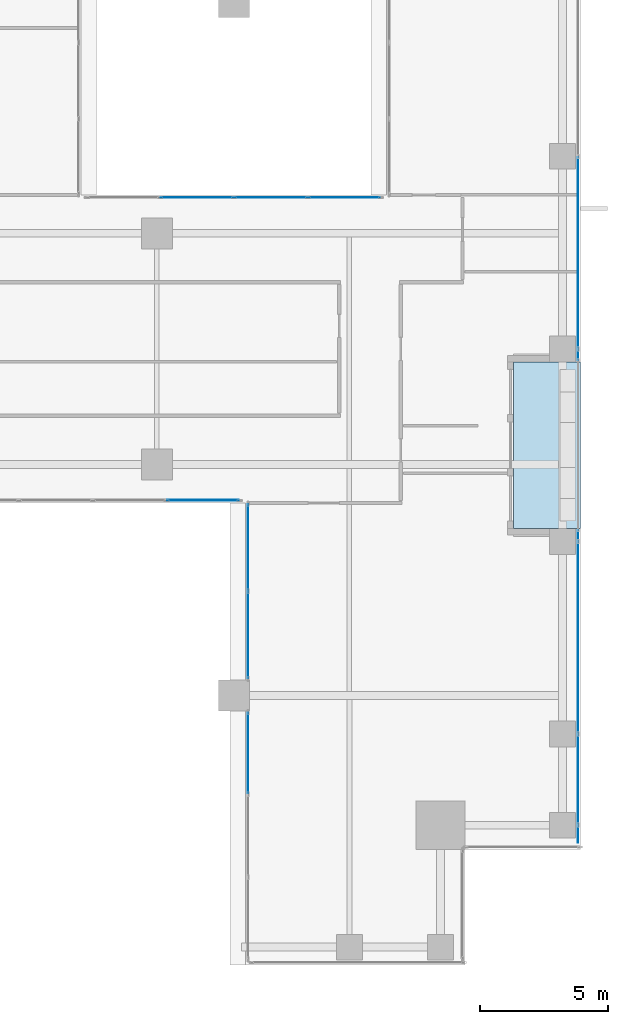
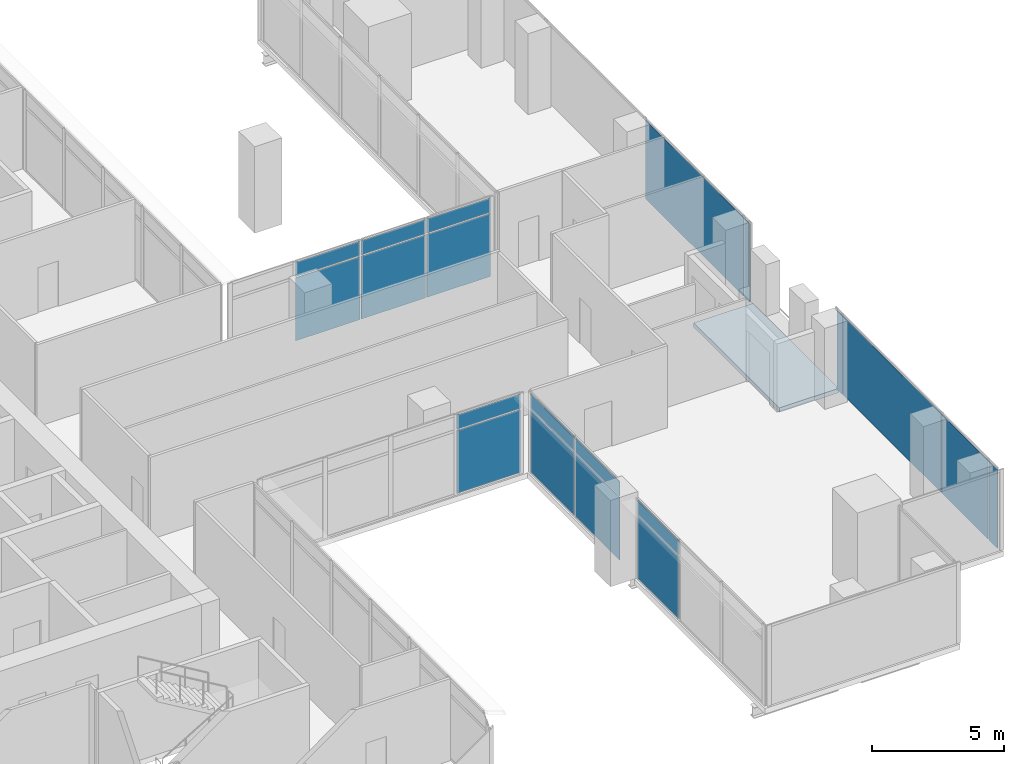
# One storey, part 29 of 37: 20 plates, 1 slab, 6 elements without a shape of their own.
"""IFC4 building model written with IfcOpenShell, lengths in metres."""

from ifc_helpers import new_model, si_unit, direction, frame, origin, origin_2d, place, context, subcontext, project, spatial, polyline, rectangle, outline, extrude, source, transform, mapped, material, layer, layer_set, type_object, element, aggregate, save


model = new_model("IFC4")

# Units and contexts
model_context = context("Model", 3, precision=1e-05, world=origin(), true_north=direction((0.0, 1.0)))
body_context = subcontext(model_context, "Body", "Model", "MODEL_VIEW")
ifc_project = project(units=[si_unit("LENGTHUNIT", "METRE"), si_unit("AREAUNIT", "SQUARE_METRE"), si_unit("VOLUMEUNIT", "CUBIC_METRE"), si_unit("PLANEANGLEUNIT", "RADIAN"), si_unit("MASSUNIT", "GRAM", prefix="KILO")], contexts=[model_context])

# Site, building, storey
site_placement = place(None, origin())
site = spatial("IfcSite", under=ifc_project, at=site_placement, CompositionType="ELEMENT")
building_placement = place(site_placement, origin())
building = spatial("IfcBuilding", under=site, at=building_placement, Name="Khomas Fold Tower", CompositionType="ELEMENT")
storey_placement = place(building_placement, frame((0.0, 0.0, 168.699951171875)))
storey = spatial("IfcBuildingStorey", under=building, at=storey_placement, Name="L36", CompositionType="ELEMENT", Elevation=168.699951171875)

# Curtain wall, plates
ifc_material_1 = material(Name="Aluminium framed double glazing", Category="aluminium")
curtain_wall_type_1 = type_object("IfcCurtainWallType", Name="SK-Unitised clear-glass wall, office floors CW2", PredefinedType="NOTDEFINED", material=ifc_material_1)
curtain_wall_1_placement = place(storey_placement, origin())
curtain_wall_1 = element("IfcCurtainWall", 1, at=curtain_wall_1_placement, inside=storey, type_object=curtain_wall_type_1, Name="CW2 run L36 08-0", PredefinedType="NOTDEFINED")
ifc_material_2 = material(Name="Clear double glazed unit")
ifc_layer_1 = layer(ifc_material_2, 0.030029296875)
ifc_layer_set_1 = layer_set([ifc_layer_1], Name="Clear double glazed unit")
plate_type_1 = type_object("IfcPlateType", Name="SK-Unitised clear-glass wall, office floors glass panel CW2-P", PredefinedType="CURTAIN_PANEL", material=ifc_layer_set_1)
shared_shape_1 = source(origin(), body_context, "Body", "SweptSolid", [
    extrude(rectangle(XDim=0.659912109375, YDim=0.030029296875, at=origin_2d()), origin(), (0.0, 0.0, 1.0), 3.639892578125),
])
plate_1_placement = place(storey_placement, frame((50.89990234375, 8.090087890625, 0.0), z_axis=(0.0, 0.0, 1.0), x_axis=(0.0, 1.0, 0.0)))
plate_1 = element("IfcPlate", 2, at=plate_1_placement, type_object=plate_type_1, Name="CW2 glass panel 1", PredefinedType="CURTAIN_PANEL", context=body_context, shape_type="MappedRepresentation", body=[
    mapped(shared_shape_1, transform((0.0, 0.0, 0.0))),
])
shared_shape_2 = source(origin(), body_context, "Body", "SweptSolid", [
    extrude(rectangle(XDim=3.489990234375, YDim=0.030029296875, at=origin_2d()), origin(), (0.0, 0.0, 1.0), 3.639892578125),
])
plate_2_placement = place(storey_placement, frame((50.89990234375, 10.22509765625, 0.0), z_axis=(0.0, 0.0, 1.0), x_axis=(0.0, 1.0, 0.0)))
plate_2 = element("IfcPlate", 3, at=plate_2_placement, type_object=plate_type_1, Name="CW2 glass panel 2", PredefinedType="CURTAIN_PANEL", context=body_context, shape_type="MappedRepresentation", body=[
    mapped(shared_shape_2, transform((0.0, 0.0, 0.0))),
])
shared_shape_3 = source(origin(), body_context, "Body", "SweptSolid", [
    extrude(rectangle(XDim=7.43994140625, YDim=0.030029296875, at=origin_2d()), origin(), (0.0, 0.0, 1.0), 3.639892578125),
])
plate_3_placement = place(storey_placement, frame((50.89990234375, 15.75, 0.0), z_axis=(0.0, 0.0, 1.0), x_axis=(0.0, 1.0, 0.0)))
plate_3 = element("IfcPlate", 4, at=plate_3_placement, type_object=plate_type_1, Name="CW2 glass panel 3", PredefinedType="CURTAIN_PANEL", context=body_context, shape_type="MappedRepresentation", body=[
    mapped(shared_shape_3, transform((0.0, 0.0, 0.0))),
])

# Curtain wall, plate
curtain_wall_2_placement = place(storey_placement, origin())
curtain_wall_2 = element("IfcCurtainWall", 5, at=curtain_wall_2_placement, inside=storey, type_object=curtain_wall_type_1, Name="CW2 run L36 08-1", PredefinedType="NOTDEFINED")
plate_4_placement = place(storey_placement, frame((50.89990234375, 30.75, 0.0), z_axis=(0.0, 0.0, 1.0), x_axis=(0.0, 1.0, 0.0)))
plate_4 = element("IfcPlate", 6, at=plate_4_placement, type_object=plate_type_1, Name="CW2 glass panel 2", PredefinedType="CURTAIN_PANEL", context=body_context, shape_type="MappedRepresentation", body=[
    mapped(shared_shape_3, transform((0.0, 0.0, 0.0))),
])

# Plate
shared_shape_4 = source(origin(), body_context, "Body", "SweptSolid", [
    extrude(rectangle(XDim=0.409912109375, YDim=0.030029296875, at=origin_2d()), origin(), (0.0, 0.0, 1.0), 3.639892578125),
])
plate_5_placement = place(storey_placement, frame((50.89990234375, 19.735107421875, 0.0), z_axis=(0.0, 0.0, 1.0), x_axis=(0.0, 1.0, 0.0)))
plate_5 = element("IfcPlate", 7, at=plate_5_placement, type_object=plate_type_1, Name="CW2 glass panel 4", PredefinedType="CURTAIN_PANEL", context=body_context, shape_type="MappedRepresentation", body=[
    mapped(shared_shape_4, transform((0.0, 0.0, 0.0))),
])

aggregate(curtain_wall_1, [plate_1, plate_2, plate_3, plate_5])

plate_6_placement = place(storey_placement, frame((50.89990234375, 26.764892578125, 0.0), z_axis=(0.0, 0.0, 1.0), x_axis=(0.0, 1.0, 0.0)))
plate_6 = element("IfcPlate", 8, at=plate_6_placement, type_object=plate_type_1, Name="CW2 glass panel 1", PredefinedType="CURTAIN_PANEL", context=body_context, shape_type="MappedRepresentation", body=[
    mapped(shared_shape_4, transform((0.0, 0.0, 0.0))),
])

aggregate(curtain_wall_2, [plate_6, plate_4])

# Slab
ifc_material_3 = material(Name="Concrete C40/50", Category="concrete")
ifc_layer_2 = layer(ifc_material_3, 0.205078125)
ifc_layer_set_2 = layer_set([ifc_layer_2], Name="Concrete C40/50")
slab_type = type_object("IfcSlabType", Name="BL-Balcony deck 205", PredefinedType="FLOOR", material=ifc_layer_set_2)
shared_shape_5 = source(origin(), body_context, "Body", "SweptSolid", [
    extrude(outline(polyline([(48.39990234375, 20.0), (51.0, 20.0), (51.0, 26.5), (48.39990234375, 26.5), (48.39990234375, 20.0)])), origin(), (0.0, 0.0, 1.0), 0.205078125),
])
slab_placement = place(storey_placement, frame((0.0, 0.0, -0.25)))
element("IfcSlab", 9, at=slab_placement, inside=storey, type_object=slab_type, Name="Balcony deck BAL-L36-E2", PredefinedType="FLOOR", context=body_context, shape_type="MappedRepresentation", body=[
    mapped(shared_shape_5, transform((0.0, 0.0, 0.0))),
])

# Curtain wall, plate
ifc_material_4 = material(Name="Aluminium framed double glazing", Category="aluminium")
curtain_wall_type_2 = type_object("IfcCurtainWallType", Name="Notch glazing GN-CW", PredefinedType="NOTDEFINED", material=ifc_material_4)
curtain_wall_3_placement = place(storey_placement, origin())
curtain_wall_3 = element("IfcCurtainWall", 10, at=curtain_wall_3_placement, inside=storey, type_object=curtain_wall_type_2, Name="Notch glazing run", PredefinedType="NOTDEFINED")
ifc_material_5 = material(Name="Double glazed unit")
ifc_layer_3 = layer(ifc_material_5, 0.031982421875)
ifc_layer_set_3 = layer_set([ifc_layer_3], Name="Double glazed unit")
plate_type_2 = type_object("IfcPlateType", Name="Notch glazing panel GN-CW-P", PredefinedType="CURTAIN_PANEL", material=ifc_layer_set_3)
shared_shape_6 = source(origin(), body_context, "Body", "SweptSolid", [
    extrude(rectangle(XDim=2.784912109375, YDim=0.031982421875, at=origin_2d()), origin(), (0.0, 0.0, 1.0), 2.909912109375),
])
plate_7_placement = place(storey_placement, frame((36.297607421875, 21.10009765625, 0.06005859375), z_axis=(0.0, 0.0, 1.0), x_axis=(1.0, 0.0, 0.0)))
plate_7 = element("IfcPlate", 11, at=plate_7_placement, type_object=plate_type_2, Name="GN-CW panel 4.1", PredefinedType="CURTAIN_PANEL", context=body_context, shape_type="MappedRepresentation", body=[
    mapped(shared_shape_6, transform((0.0, 0.0, 0.0))),
])

curtain_wall_4_placement = place(storey_placement, origin())
curtain_wall_4 = element("IfcCurtainWall", 12, at=curtain_wall_4_placement, inside=storey, type_object=curtain_wall_type_2, Name="Notch glazing run", PredefinedType="NOTDEFINED")
plate_8_placement = place(storey_placement, frame((41.797607421875, 32.89990234375, 0.06005859375), z_axis=(0.0, 0.0, 1.0), x_axis=(-1.0, 0.0, 0.0)))
plate_8 = element("IfcPlate", 13, at=plate_8_placement, type_object=plate_type_2, Name="GN-CW panel 1.1", PredefinedType="CURTAIN_PANEL", context=body_context, shape_type="MappedRepresentation", body=[
    mapped(shared_shape_6, transform((0.0, 0.0, 0.0))),
])

# Plate
shared_shape_7 = source(origin(), body_context, "Body", "SweptSolid", [
    extrude(rectangle(XDim=2.784912109375, YDim=0.031982421875, at=origin_2d()), origin(), (0.0, 0.0, 1.0), 0.659912109375),
])
plate_9_placement = place(storey_placement, frame((36.297607421875, 21.10009765625, 3.0302734375), z_axis=(0.0, 0.0, 1.0), x_axis=(1.0, 0.0, 0.0)))
plate_9 = element("IfcPlate", 14, at=plate_9_placement, type_object=plate_type_2, Name="GN-CW panel 4.2", PredefinedType="CURTAIN_PANEL", context=body_context, shape_type="MappedRepresentation", body=[
    mapped(shared_shape_7, transform((0.0, 0.0, 0.0))),
])

aggregate(curtain_wall_3, [plate_7, plate_9])

plate_10_placement = place(storey_placement, frame((41.797607421875, 32.89990234375, 3.0302734375), z_axis=(0.0, 0.0, 1.0), x_axis=(-1.0, 0.0, 0.0)))
plate_10 = element("IfcPlate", 15, at=plate_10_placement, type_object=plate_type_2, Name="GN-CW panel 1.2", PredefinedType="CURTAIN_PANEL", context=body_context, shape_type="MappedRepresentation", body=[
    mapped(shared_shape_7, transform((0.0, 0.0, 0.0))),
])

shared_shape_8 = source(origin(), body_context, "Body", "SweptSolid", [
    extrude(rectangle(XDim=2.81494140625, YDim=0.031982421875, at=origin_2d()), origin(), (0.0, 0.0, 1.0), 2.909912109375),
])
plate_11_placement = place(storey_placement, frame((38.9375, 32.89990234375, 0.06005859375), z_axis=(0.0, 0.0, 1.0), x_axis=(-1.0, 0.0, 0.0)))
plate_11 = element("IfcPlate", 16, at=plate_11_placement, type_object=plate_type_2, Name="GN-CW panel 2.1", PredefinedType="CURTAIN_PANEL", context=body_context, shape_type="MappedRepresentation", body=[
    mapped(shared_shape_8, transform((0.0, 0.0, 0.0))),
])

plate_12_placement = place(storey_placement, frame((36.0625, 32.89990234375, 0.06005859375), z_axis=(0.0, 0.0, 1.0), x_axis=(-1.0, 0.0, 0.0)))
plate_12 = element("IfcPlate", 17, at=plate_12_placement, type_object=plate_type_2, Name="GN-CW panel 3.1", PredefinedType="CURTAIN_PANEL", context=body_context, shape_type="MappedRepresentation", body=[
    mapped(shared_shape_8, transform((0.0, 0.0, 0.0))),
])

shared_shape_9 = source(origin(), body_context, "Body", "SweptSolid", [
    extrude(rectangle(XDim=2.81494140625, YDim=0.031982421875, at=origin_2d()), origin(), (0.0, 0.0, 1.0), 0.659912109375),
])
plate_13_placement = place(storey_placement, frame((38.9375, 32.89990234375, 3.0302734375), z_axis=(0.0, 0.0, 1.0), x_axis=(-1.0, 0.0, 0.0)))
plate_13 = element("IfcPlate", 18, at=plate_13_placement, type_object=plate_type_2, Name="GN-CW panel 2.2", PredefinedType="CURTAIN_PANEL", context=body_context, shape_type="MappedRepresentation", body=[
    mapped(shared_shape_9, transform((0.0, 0.0, 0.0))),
])

plate_14_placement = place(storey_placement, frame((36.0625, 32.89990234375, 3.0302734375), z_axis=(0.0, 0.0, 1.0), x_axis=(-1.0, 0.0, 0.0)))
plate_14 = element("IfcPlate", 19, at=plate_14_placement, type_object=plate_type_2, Name="GN-CW panel 3.2", PredefinedType="CURTAIN_PANEL", context=body_context, shape_type="MappedRepresentation", body=[
    mapped(shared_shape_9, transform((0.0, 0.0, 0.0))),
])

aggregate(curtain_wall_4, [plate_8, plate_10, plate_11, plate_13, plate_12, plate_14])

# Curtain wall, plates
curtain_wall_5_placement = place(storey_placement, origin())
curtain_wall_5 = element("IfcCurtainWall", 20, at=curtain_wall_5_placement, inside=storey, type_object=curtain_wall_type_2, Name="Notch glazing run", PredefinedType="NOTDEFINED")
shared_shape_10 = source(origin(), body_context, "Body", "SweptSolid", [
    extrude(rectangle(XDim=3.35009765625, YDim=0.031982421875, at=origin_2d()), origin(), (0.0, 0.0, 1.0), 2.909912109375),
])
plate_15_placement = place(storey_placement, frame((38.050048828125, 19.264892578125, 0.06005859375), z_axis=(0.0, 0.0, 1.0), x_axis=(0.0, -1.0, 0.0)))
plate_15 = element("IfcPlate", 21, at=plate_15_placement, type_object=plate_type_2, Name="GN-CW panel 1.1", PredefinedType="CURTAIN_PANEL", context=body_context, shape_type="MappedRepresentation", body=[
    mapped(shared_shape_10, transform((0.0, 0.0, 0.0))),
])
plate_16_placement = place(storey_placement, frame((38.050048828125, 15.85498046875, 0.06005859375), z_axis=(0.0, 0.0, 1.0), x_axis=(0.0, -1.0, 0.0)))
plate_16 = element("IfcPlate", 22, at=plate_16_placement, type_object=plate_type_2, Name="GN-CW panel 2.1", PredefinedType="CURTAIN_PANEL", context=body_context, shape_type="MappedRepresentation", body=[
    mapped(shared_shape_10, transform((0.0, 0.0, 0.0))),
])
shared_shape_11 = source(origin(), body_context, "Body", "SweptSolid", [
    extrude(rectangle(XDim=3.35009765625, YDim=0.031982421875, at=origin_2d()), origin(), (0.0, 0.0, 1.0), 0.659912109375),
])
plate_17_placement = place(storey_placement, frame((38.050048828125, 19.264892578125, 3.0302734375), z_axis=(0.0, 0.0, 1.0), x_axis=(0.0, -1.0, 0.0)))
plate_17 = element("IfcPlate", 23, at=plate_17_placement, type_object=plate_type_2, Name="GN-CW panel 1.2", PredefinedType="CURTAIN_PANEL", context=body_context, shape_type="MappedRepresentation", body=[
    mapped(shared_shape_11, transform((0.0, 0.0, 0.0))),
])
plate_18_placement = place(storey_placement, frame((38.050048828125, 15.85498046875, 3.0302734375), z_axis=(0.0, 0.0, 1.0), x_axis=(0.0, -1.0, 0.0)))
plate_18 = element("IfcPlate", 24, at=plate_18_placement, type_object=plate_type_2, Name="GN-CW panel 2.2", PredefinedType="CURTAIN_PANEL", context=body_context, shape_type="MappedRepresentation", body=[
    mapped(shared_shape_11, transform((0.0, 0.0, 0.0))),
])
aggregate(curtain_wall_5, [plate_15, plate_17, plate_16, plate_18])

curtain_wall_6_placement = place(storey_placement, origin())
curtain_wall_6 = element("IfcCurtainWall", 25, at=curtain_wall_6_placement, inside=storey, type_object=curtain_wall_type_2, Name="Notch glazing run", PredefinedType="NOTDEFINED")
shared_shape_12 = source(origin(), body_context, "Body", "SweptSolid", [
    extrude(rectangle(XDim=3.13671875, YDim=0.031982421875, at=origin_2d()), origin(), (0.0, 0.0, 1.0), 2.909912109375),
])
plate_19_placement = place(storey_placement, frame((38.050048828125, 11.251708984375, 0.06005859375), z_axis=(0.0, 0.0, 1.0), x_axis=(0.0, -1.0, 0.0)))
plate_19 = element("IfcPlate", 26, at=plate_19_placement, type_object=plate_type_2, Name="GN-CW panel 1.1", PredefinedType="CURTAIN_PANEL", context=body_context, shape_type="MappedRepresentation", body=[
    mapped(shared_shape_12, transform((0.0, 0.0, 0.0))),
])
shared_shape_13 = source(origin(), body_context, "Body", "SweptSolid", [
    extrude(rectangle(XDim=3.13671875, YDim=0.031982421875, at=origin_2d()), origin(), (0.0, 0.0, 1.0), 0.659912109375),
])
plate_20_placement = place(storey_placement, frame((38.050048828125, 11.251708984375, 3.0302734375), z_axis=(0.0, 0.0, 1.0), x_axis=(0.0, -1.0, 0.0)))
plate_20 = element("IfcPlate", 27, at=plate_20_placement, type_object=plate_type_2, Name="GN-CW panel 1.2", PredefinedType="CURTAIN_PANEL", context=body_context, shape_type="MappedRepresentation", body=[
    mapped(shared_shape_13, transform((0.0, 0.0, 0.0))),
])
aggregate(curtain_wall_6, [plate_19, plate_20])

save(model, "model.ifc")
